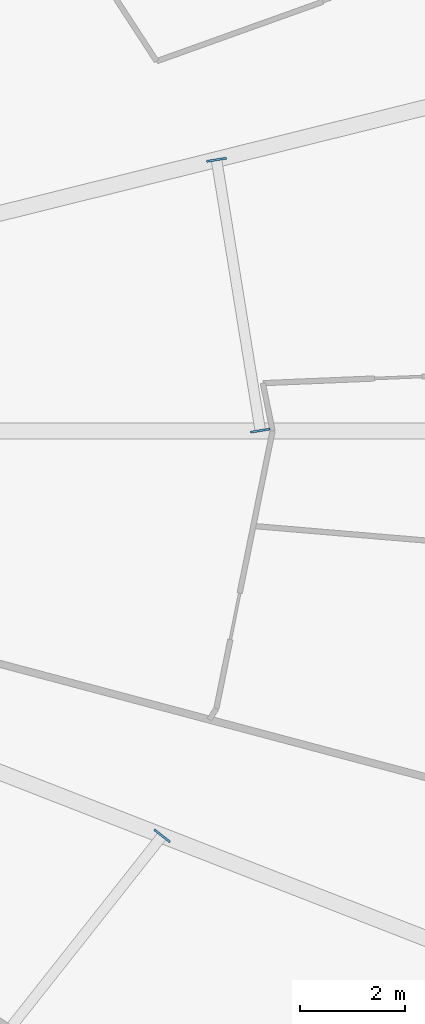
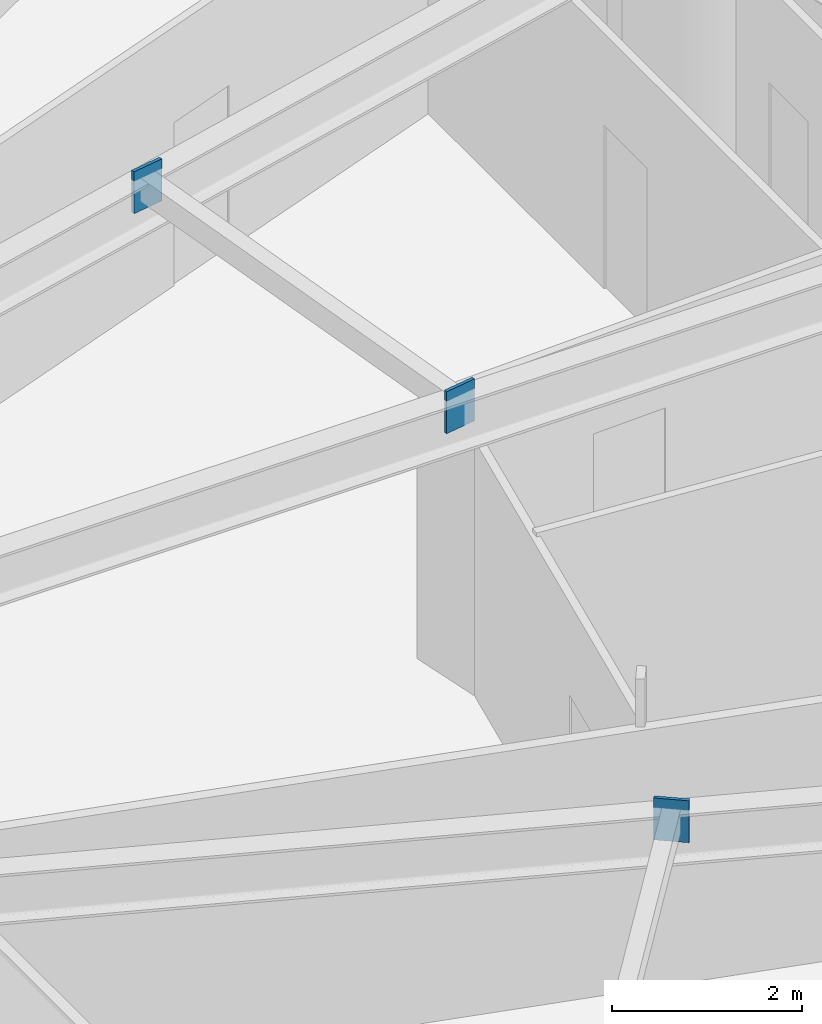
# One storey, part 8 of 24: 3 plates.
"""IFC4 building model written with IfcOpenShell, lengths in metres."""

from ifc_helpers import new_model, si_unit, direction, frame, origin, origin_2d, place, context, subcontext, project, spatial, rectangle, extrude, source, transform, mapped, material, layer, layer_set, type_object, element, save


model = new_model("IFC4")

# Units and contexts
model_context = context("Model", 3, precision=1e-05, world=origin(), true_north=direction((0.0, 1.0)))
body_context = subcontext(model_context, "Body", "Model", "MODEL_VIEW")
ifc_project = project(units=[si_unit("LENGTHUNIT", "METRE"), si_unit("AREAUNIT", "SQUARE_METRE"), si_unit("VOLUMEUNIT", "CUBIC_METRE"), si_unit("PLANEANGLEUNIT", "RADIAN"), si_unit("MASSUNIT", "GRAM", prefix="KILO")], contexts=[model_context])

# Site, building, storey
site_placement = place(None, origin())
site = spatial("IfcSite", under=ifc_project, at=site_placement, CompositionType="ELEMENT")
building_placement = place(site_placement, origin())
building = spatial("IfcBuilding", under=site, at=building_placement, Name="Linh Dai School and Residence Tower", CompositionType="ELEMENT")
storey_placement = place(building_placement, frame((0.0, 0.0, 74.39990234375)))
storey = spatial("IfcBuildingStorey", under=building, at=storey_placement, Name="L17", CompositionType="ELEMENT", Elevation=74.39990234375)

# Plates
ifc_material = material(Name="Structural Steel S355JR", Category="steel")
ifc_layer = layer(ifc_material, 0.0400390625)
ifc_layer_set = layer_set([ifc_layer], Name="Structural Steel S355JR")
plate_type = type_object("IfcPlateType", Name="PLT-GP1", PredefinedType="USERDEFINED", material=ifc_layer_set)
shared_shape = source(origin(), body_context, "Body", "SweptSolid", [
    extrude(rectangle(XDim=0.0400390625, YDim=0.3798828125, at=origin_2d()), origin(), (0.0, 0.0, 1.0), 0.5400390625),
])
for number, where, z_axis, x_axis, name in (
    (1, (57.607177734375, 27.0048828125, 3.530029296875), (0.0, 0.0, 1.0), (-0.159659022119, 0.987172222389, 0.0), "L17 Secondary Beam End Plate 01A"),
    (2, (56.774169921875, 32.15625, 3.530029296875), (0.0, 0.0, 1.0), (-0.159659022119, 0.987172222389, 0.0), "L17 Secondary Beam End Plate 01B"),
    (3, (55.740478515625, 19.297607421875, 3.530029296875), (0.0, 0.0, 1.0), (0.620177637481, 0.784461406297, 0.0), "L17 Secondary Beam End Plate 08B"),
):
    element("IfcPlate", number, at=place(storey_placement, frame(where, z_axis=z_axis, x_axis=x_axis)), inside=storey, type_object=plate_type, Name=name, ObjectType="GUSSET PLATE", PredefinedType="USERDEFINED", context=body_context, shape_type="MappedRepresentation", body=[
        mapped(shared_shape, transform((0.0, 0.0, 0.0), x_axis=(1.0, 0.0, 0.0), y_axis=(0.0, 1.0, 0.0), z_axis=(0.0, 0.0, 1.0), scale=1.0)),
    ])

save(model, "model.ifc")
